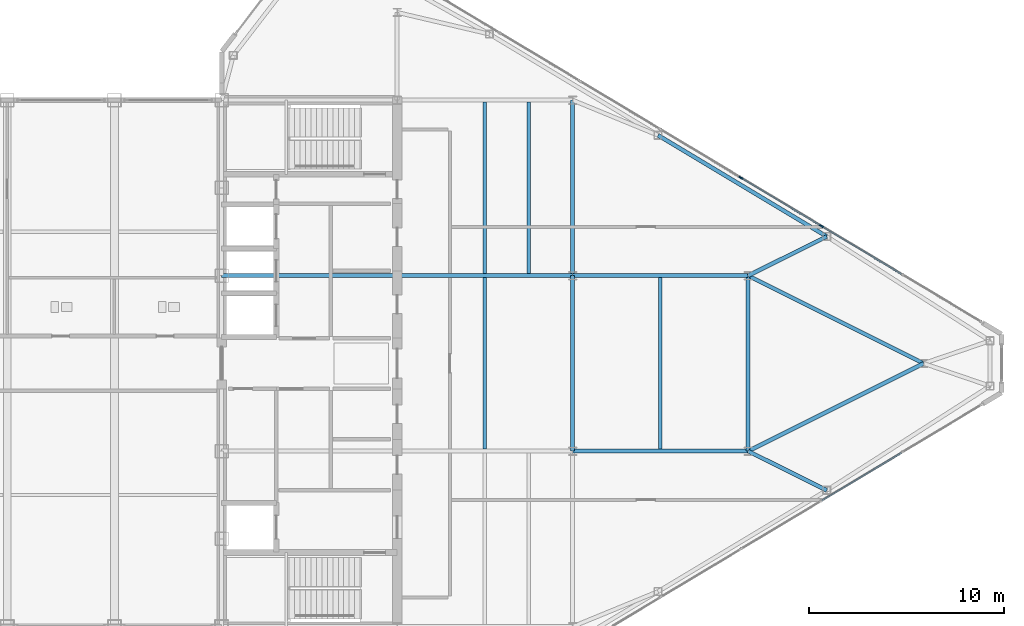
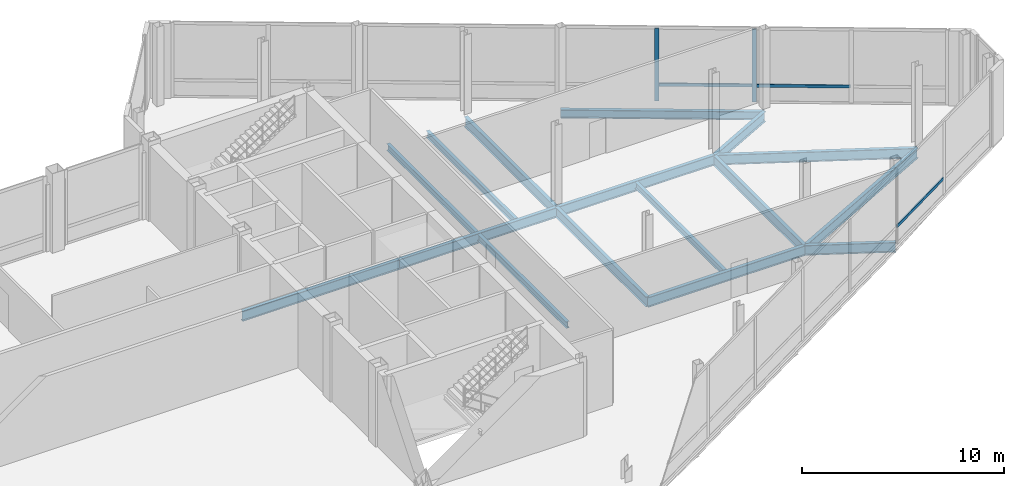
# One storey, part 15 of 29: 16 beams, 5 members, 2 elements without a shape of their own.
"""IFC4 building model written with IfcOpenShell, lengths in metres."""

from ifc_helpers import new_model, si_unit, direction, frame, origin, origin_2d, place, context, subcontext, project, spatial, rectangle, i_section, extrude, source, transform, mapped, material, layer, layer_set, material_profile, profile_set, type_object, type_shapes, element, aggregate, save


model = new_model("IFC4")

# Units and contexts
model_context = context("Model", 3, precision=1e-05, world=origin(), true_north=direction((0.0, 1.0)))
body_context = subcontext(model_context, "Body", "Model", "MODEL_VIEW")
ifc_project = project(units=[si_unit("LENGTHUNIT", "METRE"), si_unit("AREAUNIT", "SQUARE_METRE"), si_unit("VOLUMEUNIT", "CUBIC_METRE"), si_unit("PLANEANGLEUNIT", "RADIAN"), si_unit("MASSUNIT", "GRAM", prefix="KILO")], contexts=[model_context])

# Site, building, storey
site_placement = place(None, origin())
site = spatial("IfcSite", under=ifc_project, at=site_placement, CompositionType="ELEMENT")
building_placement = place(site_placement, origin())
building = spatial("IfcBuilding", under=site, at=building_placement, Name="Seokmaru Belvedere", CompositionType="ELEMENT")
storey_placement = place(building_placement, frame((0.0, 0.0, 269.39990234375)))
storey = spatial("IfcBuildingStorey", under=building, at=storey_placement, Name="L71", CompositionType="ELEMENT", Elevation=269.39990234375)

# Beams
ifc_material_1 = material(Name="Steel SM355 (355 MPa)", Category="steel")
ifc_material_profile_1 = material_profile(ifc_material_1, i_section(OverallWidth=0.199951171875, OverallDepth=0.60009765625, WebThickness=0.010986328125, FlangeThickness=0.01708984375, at=origin_2d()), Name="H-600x200x11x17")
ifc_profile_set_1 = profile_set([ifc_material_profile_1], Name="Steel SM355 (355 MPa)")
beam_type_1 = type_object("IfcBeamType", Name="Primary Floor Girder H-600", PredefinedType="BEAM", material=ifc_profile_set_1)
shared_shape_1 = source(origin(), body_context, "Body", "SweptSolid", [
    extrude(i_section(OverallWidth=0.199951171875, OverallDepth=0.60009765625, WebThickness=0.010986328125, FlangeThickness=0.01708984375, at=origin_2d()), origin(), (0.0, 0.0, 1.0), 9.0),
])
for number, where, z_axis, x_axis, name in (
    (1, (45.5, -4.5, -0.559814453125), (0.0, 1.0, 0.0), (-1.0, 0.0, 0.0), "L71 E Interior Grid Girder 2"),
    (2, (45.5, 4.5, -0.559814453125), (0.0, 1.0, 0.0), (-1.0, 0.0, 0.0), "L71 E Interior Grid Girder 3"),
    (3, (27.5, 4.5, -0.559814453125), (1.0, 0.0, 0.0), (0.0, 1.0, 0.0), "L71 E Core Tie Girder 3"),
    (4, (36.5, 4.5, -0.559814453125), (1.0, 0.0, 0.0), (0.0, 1.0, 0.0), "L71 E Wing Primary Girder 3"),
    (5, (45.5, -4.5, -0.559814453125), (1.0, 0.0, 0.0), (0.0, 1.0, 0.0), "L71 E Outer Wing Girder 1"),
    (6, (45.5, 4.5, -0.559814453125), (1.0, 0.0, 0.0), (0.0, 1.0, 0.0), "L71 E Outer Wing Girder 2"),
    (7, (54.5, -4.5, -0.559814453125), (0.0, 1.0, 0.0), (-1.0, 0.0, 0.0), "L71 E Apex Frame Girder"),
):
    element("IfcBeam", number, at=place(storey_placement, frame(where, z_axis=z_axis, x_axis=x_axis)), inside=storey, type_object=beam_type_1, Name=name, PredefinedType="BEAM", context=body_context, shape_type="MappedRepresentation", body=[
        mapped(shared_shape_1, transform((0.0, 0.0, 0.0), scale=1.0)),
    ])
shared_shape_2 = source(origin(), body_context, "Body", "SweptSolid", [
    extrude(i_section(OverallWidth=0.199951171875, OverallDepth=0.60009765625, WebThickness=0.010986328125, FlangeThickness=0.01708984375, at=origin_2d()), origin(), (0.0, 0.0, 1.0), 10.062255859375),
])
for number, where, z_axis, x_axis, name in (
    (8, (54.5, -4.5, -0.559814453125), (0.894427191, 0.4472135955, 0.0), (-0.4472135955, 0.894427191, 0.0), "L71 E Apex Converging Girder 1"),
    (9, (54.5, 4.5, -0.559814453125), (0.894427191, -0.4472135955, 0.0), (0.4472135955, 0.894427191, 0.0), "L71 E Apex Converging Girder 2"),
):
    element("IfcBeam", number, at=place(storey_placement, frame(where, z_axis=z_axis, x_axis=x_axis)), inside=storey, type_object=beam_type_1, Name=name, PredefinedType="BEAM", context=body_context, shape_type="MappedRepresentation", body=[
        mapped(shared_shape_2, transform((0.0, 0.0, 0.0), scale=1.0)),
    ])
ifc_material_profile_2 = material_profile(ifc_material_1, i_section(OverallWidth=0.18505859375, OverallDepth=0.389892578125, WebThickness=0.008056640625, FlangeThickness=0.011962890625, at=origin_2d()), Name="H-390x185x8x12")
ifc_profile_set_2 = profile_set([ifc_material_profile_2], Name="Steel SM355 (355 MPa)")
beam_type_2 = type_object("IfcBeamType", Name="Secondary Floor Joist H-350", PredefinedType="JOIST", material=ifc_profile_set_2)
shared_shape_3 = source(origin(), body_context, "Body", "SweptSolid", [
    extrude(i_section(OverallWidth=0.18505859375, OverallDepth=0.389892578125, WebThickness=0.008056640625, FlangeThickness=0.011962890625, at=origin_2d()), origin(), (0.0, 0.0, 1.0), 8.7900390625),
])
type_shapes(beam_type_2, [shared_shape_3])
for number, where, z_axis, x_axis, name in (
    (10, (43.25, 4.60498046875, -0.454833984375), (0.0, 1.0, 0.0), (-1.0, 0.0, 0.0), "L71 E Wing Inner Secondary Joist 2"),
    (11, (41.0, -4.39501953125, -0.454833984375), (0.0, 1.0, 0.0), (-1.0, 0.0, 0.0), "L71 E Secondary Floor Joist 2"),
    (12, (41.0, 4.60498046875, -0.454833984375), (0.0, 1.0, 0.0), (-1.0, 0.0, 0.0), "L71 E Secondary Floor Joist 3"),
    (13, (50.0, -4.39501953125, -0.454833984375), (0.0, 1.0, 0.0), (-1.0, 0.0, 0.0), "L71 E Outer Bay Secondary Joist"),
):
    element("IfcBeam", number, at=place(storey_placement, frame(where, z_axis=z_axis, x_axis=x_axis)), inside=storey, type_object=beam_type_2, Name=name, PredefinedType="JOIST", context=body_context, shape_type="MappedRepresentation", body=[
        mapped(shared_shape_3, transform((0.0, 0.0, 0.0), scale=1.0)),
    ])
ifc_material_profile_3 = material_profile(ifc_material_1, i_section(OverallWidth=0.199951171875, OverallDepth=0.5, WebThickness=0.010009765625, FlangeThickness=0.01611328125, at=origin_2d()), Name="H-500x200x10x16")
ifc_profile_set_3 = profile_set([ifc_material_profile_3], Name="Steel SM355 (355 MPa)")
beam_type_3 = type_object("IfcBeamType", Name="Perimeter Spandrel Beam H-500", PredefinedType="SPANDREL", material=ifc_profile_set_3)
shared_shape_4 = source(origin(), body_context, "Body", "SweptSolid", [
    extrude(i_section(OverallWidth=0.199951171875, OverallDepth=0.5, WebThickness=0.010009765625, FlangeThickness=0.01611328125, at=origin_2d()), origin(), (0.0, 0.0, 1.0), 10.087646484375),
])
type_shapes(beam_type_3, [shared_shape_4])
beam_placement = place(storey_placement, frame((49.8798828125, 11.698974609375, -0.510009765625), z_axis=(0.857488654804, -0.514502873542, 0.0), x_axis=(0.514502873542, 0.857488654804, 0.0)))
element("IfcBeam", 14, at=beam_placement, inside=storey, type_object=beam_type_3, Name="L71 E Faceted Flank Spandrel N-3", PredefinedType="SPANDREL", context=body_context, shape_type="MappedRepresentation", body=[
    mapped(shared_shape_4, transform((0.0, 0.0, 0.0), scale=1.0)),
])
shared_shape_5 = source(origin(), body_context, "Body", "SweptSolid", [
    extrude(i_section(OverallWidth=0.199951171875, OverallDepth=0.60009765625, WebThickness=0.010986328125, FlangeThickness=0.01708984375, at=origin_2d()), origin(), (0.0, 0.0, 1.0), 4.5029296875),
])
type_shapes(beam_type_1, [shared_shape_1, shared_shape_2, shared_shape_5])
for number, where, z_axis, x_axis, name in (
    (15, (58.530029296875, -6.5087890625, -0.559814453125), (-0.894979532585, 0.446107202648, 0.0), (-0.446107202648, -0.894979532585, 0.0), "L71 E Flank Radial Floor Girder S-3"),
    (16, (58.530029296875, 6.5087890625, -0.559814453125), (-0.894979532585, -0.446107202648, 0.0), (0.446107202648, -0.894979532585, 0.0), "L71 E Flank Radial Floor Girder N-3"),
):
    element("IfcBeam", number, at=place(storey_placement, frame(where, z_axis=z_axis, x_axis=x_axis)), inside=storey, type_object=beam_type_1, Name=name, PredefinedType="BEAM", context=body_context, shape_type="MappedRepresentation", body=[
        mapped(shared_shape_5, transform((0.0, 0.0, 0.0), scale=1.0)),
    ])

# Curtain wall, members
ifc_material_2 = material(Name="Bronze Triple Insulating Glass", Category="glass")
ifc_layer = layer(ifc_material_2, 0.219970703125)
ifc_layer_set = layer_set([ifc_layer], Name="Bronze Triple Insulating Glass")
curtain_wall_type = type_object("IfcCurtainWallType", Name="Sky-Gate Bridge Panorama Curtain Wall System CW-6", PredefinedType="NOTDEFINED", material=ifc_layer_set)
curtain_wall_1_placement = place(storey_placement, origin())
curtain_wall_1 = element("IfcCurtainWall", 17, at=curtain_wall_1_placement, inside=storey, type_object=curtain_wall_type, Name="L71 Curtain Wall EF3", PredefinedType="NOTDEFINED")
ifc_material_3 = material(Name="Anodised Bronze Aluminium", Category="aluminium")
ifc_material_profile_4 = material_profile(ifc_material_3, rectangle(XDim=0.080078125, YDim=0.219970703125, at=origin_2d()), Name="CW-M-80x220")
ifc_profile_set_4 = profile_set([ifc_material_profile_4], Name="Anodised Bronze Aluminium")
member_type_1 = type_object("IfcMemberType", Name="Bronze Unitised Mullion 80x220", PredefinedType="MULLION", material=ifc_profile_set_4)
shared_shape_6 = source(origin(), body_context, "Body", "SweptSolid", [
    extrude(rectangle(XDim=0.080078125, YDim=0.219970703125, at=origin_2d()), origin(), (0.0, 0.0, 1.0), 4.389892578125),
])
type_shapes(member_type_1, [shared_shape_6])
member_1_placement = place(storey_placement, frame((58.257080078125, 7.0458984375, 0.0751953125), z_axis=(0.0, 0.0, 1.0), x_axis=(-0.514494909364, -0.85749343335, 0.0)))
member_1 = element("IfcMember", 18, at=member_1_placement, type_object=member_type_1, Name="CW:L71:EF3 Mullion 3", PredefinedType="MULLION", context=body_context, shape_type="MappedRepresentation", body=[
    mapped(shared_shape_6, transform((0.0, 0.0, 0.0), scale=1.0)),
])
member_2_placement = place(storey_placement, frame((54.12841796875, 9.52294921875, 0.0751953125), z_axis=(0.0, 0.0, 1.0), x_axis=(-0.514494909364, -0.85749343335, 0.0)))
member_2 = element("IfcMember", 19, at=member_2_placement, type_object=member_type_1, Name="CW:L71:EF3 Mullion 4", PredefinedType="MULLION", context=body_context, shape_type="MappedRepresentation", body=[
    mapped(shared_shape_6, transform((0.0, 0.0, 0.0), scale=1.0)),
])

# Curtain wall, member
curtain_wall_2_placement = place(storey_placement, origin())
curtain_wall_2 = element("IfcCurtainWall", 20, at=curtain_wall_2_placement, inside=storey, type_object=curtain_wall_type, Name="L71 Curtain Wall EF1", PredefinedType="NOTDEFINED")
ifc_material_profile_5 = material_profile(ifc_material_3, rectangle(XDim=0.074951171875, YDim=0.179931640625, at=origin_2d()), Name="CW-T-75x180")
ifc_profile_set_5 = profile_set([ifc_material_profile_5], Name="Anodised Bronze Aluminium")
member_type_2 = type_object("IfcMemberType", Name="Bronze Unitised Transom 75x180", PredefinedType="USERDEFINED", material=ifc_profile_set_5)
shared_shape_7 = source(origin(), body_context, "Body", "SweptSolid", [
    extrude(rectangle(XDim=0.074951171875, YDim=0.179931640625, at=origin_2d()), origin(), (0.0, 0.0, 1.0), 4.734619140625),
])
member_3_placement = place(storey_placement, frame((58.291259765625, -7.025390625, 1.050048828125), z_axis=(0.857479275774, 0.514518504641, 0.0), x_axis=(-0.514518504641, 0.857479275774, 0.0)))
member_3 = element("IfcMember", 21, at=member_3_placement, type_object=member_type_2, Name="CW:L71:EF1 Spandrel Transom 7", ObjectType="TRANSOM", PredefinedType="USERDEFINED", context=body_context, shape_type="MappedRepresentation", body=[
    mapped(shared_shape_7, transform((0.0, 0.0, 0.0), scale=1.0)),
])
aggregate(curtain_wall_2, [member_3])

# Member
member_4_placement = place(storey_placement, frame((62.35107421875, 4.58935546875, 1.050048828125), z_axis=(-0.857479275774, 0.514518504641, 0.0), x_axis=(-0.514518504641, -0.857479275774, 0.0)))
member_4 = element("IfcMember", 22, at=member_4_placement, type_object=member_type_2, Name="CW:L71:EF3 Spandrel Transom 2", ObjectType="TRANSOM", PredefinedType="USERDEFINED", context=body_context, shape_type="MappedRepresentation", body=[
    mapped(shared_shape_7, transform((0.0, 0.0, 0.0), scale=1.0)),
])

shared_shape_8 = source(origin(), body_context, "Body", "SweptSolid", [
    extrude(rectangle(XDim=0.074951171875, YDim=0.179931640625, at=origin_2d()), origin(), (0.0, 0.0, 1.0), 4.734375),
])
type_shapes(member_type_2, [shared_shape_7, shared_shape_8])
member_5_placement = place(storey_placement, frame((58.22265625, 7.06640625, 1.050048828125), z_axis=(-0.857502025578, 0.514480588682, 0.0), x_axis=(-0.514480588682, -0.857502025578, 0.0)))
member_5 = element("IfcMember", 23, at=member_5_placement, type_object=member_type_2, Name="CW:L71:EF3 Spandrel Transom 3", ObjectType="TRANSOM", PredefinedType="USERDEFINED", context=body_context, shape_type="MappedRepresentation", body=[
    mapped(shared_shape_8, transform((0.0, 0.0, 0.0), scale=1.0)),
])

aggregate(curtain_wall_1, [member_1, member_2, member_4, member_5])

save(model, "model.ifc")
